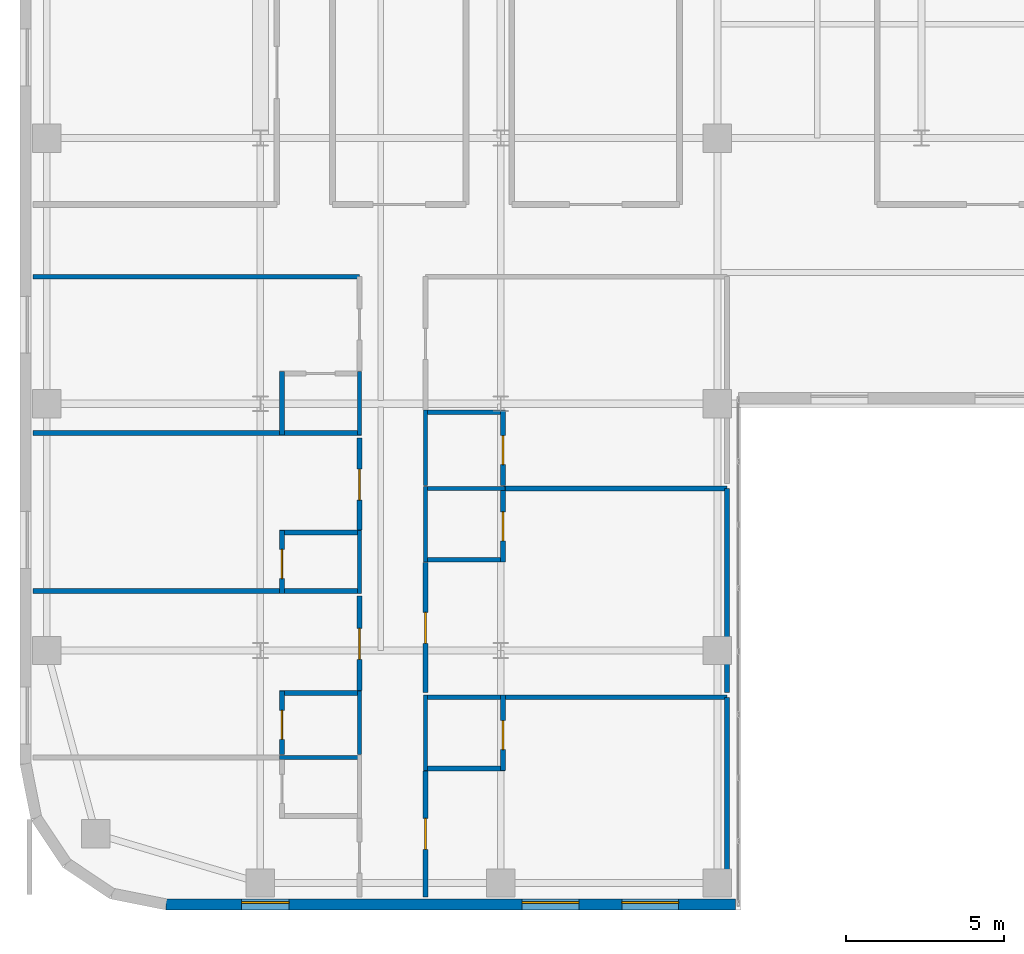
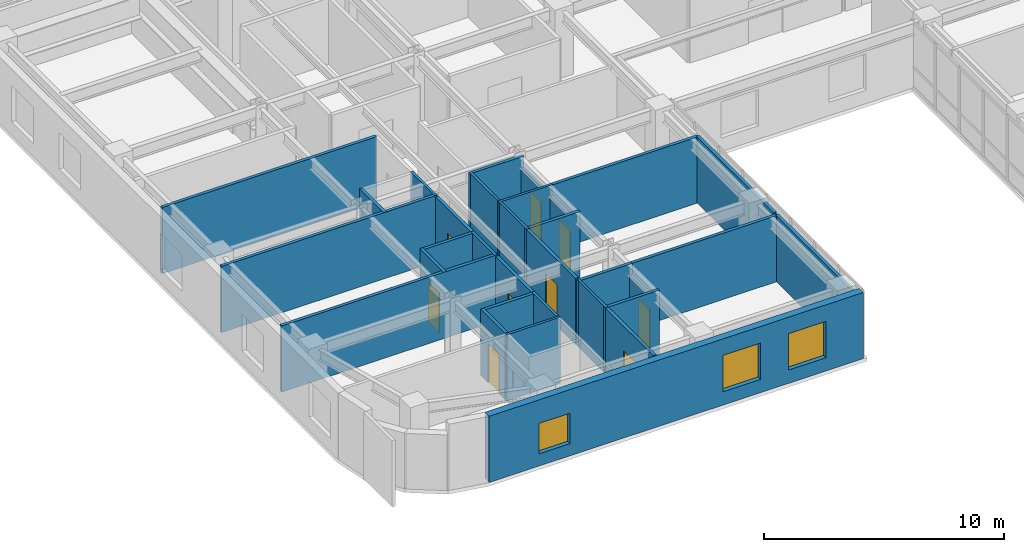
# One storey, part 10 of 17: 32 walls, 9 doors, 3 windows, 12 openings.
"""IFC4 building model written with IfcOpenShell, lengths in metres."""

from ifc_helpers import new_model, si_unit, direction, frame, frame_2d, origin, place, context, subcontext, project, spatial, rectangle, extrude, source, transform, mapped, material, layer, layer_set, type_object, type_shapes, element, fill, save


model = new_model("IFC4")

# Units and contexts
model_context = context("Model", 3, precision=1e-05, world=origin(), true_north=direction((0.0, 1.0)))
body_context = subcontext(model_context, "Body", "Model", "MODEL_VIEW")
ifc_project = project(units=[si_unit("LENGTHUNIT", "METRE"), si_unit("AREAUNIT", "SQUARE_METRE"), si_unit("VOLUMEUNIT", "CUBIC_METRE"), si_unit("PLANEANGLEUNIT", "RADIAN"), si_unit("MASSUNIT", "GRAM", prefix="KILO")], contexts=[model_context])

# Site, building, storey
site_placement = place(None, origin())
site = spatial("IfcSite", under=ifc_project, at=site_placement, CompositionType="ELEMENT")
building_placement = place(site_placement, origin())
building = spatial("IfcBuilding", under=site, at=building_placement, Name="Tolvann Quenvar Hotel", CompositionType="ELEMENT")
storey_placement = place(building_placement, frame((0.0, 0.0, 136.39990234375)))
storey = spatial("IfcBuildingStorey", under=building, at=storey_placement, Name="L35", CompositionType="ELEMENT", Elevation=136.39990234375)

# Wall, openings, windows
ifc_material_1 = material(Name="Kiln-fired red and buff architectural clay brickwork and terracotta masonry", Category="masonry")
ifc_layer_1 = layer(ifc_material_1, 0.35009765625)
ifc_layer_set_1 = layer_set([ifc_layer_1], Name="Kiln-fired red and buff architectural clay brickwork and terracotta masonry")
wall_type_1 = type_object("IfcWallType", Name="WALL_EXT_BRICK_350", PredefinedType="SOLIDWALL", material=ifc_layer_set_1)
wall_1_placement = place(storey_placement, frame((4.6171875, 0.175048828125, 0.0), z_axis=(0.0, 0.0, 1.0), x_axis=(1.0, 0.0, 0.0)))
wall_1 = element("IfcWall", 1, at=wall_1_placement, inside=storey, type_object=wall_type_1, Name="Exterior Chicago Brick Wall L35-E04", PredefinedType="SOLIDWALL", context=body_context, shape_type="SweptSolid", body=[
    extrude(rectangle(XDim=18.0078125, YDim=0.35009765625, at=frame_2d((9.00390625, 0.0))), origin(), (0.0, 0.0, 1.0), 3.3701171875),
])
opening_1_placement = place(wall_1_placement, frame((11.2548828125, 0.0, 0.679931640625)))
opening_1 = element("IfcOpeningElement", 2, at=opening_1_placement, cuts=wall_1, Name="Opening W-03", PredefinedType="OPENING", context=body_context, shape_type="SweptSolid", body=[
    extrude(rectangle(XDim=1.800048828125, YDim=1.85009765625, at=frame_2d((0.89990234375, 0.925048828125))), frame((0.0, 0.18505859375, 0.0), z_axis=(0.0, -1.0, 0.0), x_axis=(1.0, 0.0, 0.0)), (0.0, 0.0, 1.0), 0.3701171875),
])
opening_2_placement = place(wall_1_placement, frame((14.406982421875, 0.0, 0.679931640625)))
opening_2 = element("IfcOpeningElement", 3, at=opening_2_placement, cuts=wall_1, Name="Opening W-03", PredefinedType="OPENING", context=body_context, shape_type="SweptSolid", body=[
    extrude(rectangle(XDim=1.800048828125, YDim=1.85009765625, at=frame_2d((0.89990234375, 0.925048828125))), frame((0.0, 0.18505859375, 0.0), z_axis=(0.0, -1.0, 0.0), x_axis=(1.0, 0.0, 0.0)), (0.0, 0.0, 1.0), 0.3701171875),
])
opening_3_placement = place(wall_1_placement, frame((2.39111328125, 0.0, 0.6201171875)))
opening_3 = element("IfcOpeningElement", 4, at=opening_3_placement, cuts=wall_1, Name="Opening W-08", PredefinedType="OPENING", context=body_context, shape_type="SweptSolid", body=[
    extrude(rectangle(XDim=1.5, YDim=1.550048828125, at=frame_2d((0.75, 0.77490234375))), frame((0.0, 0.18505859375, 0.0), z_axis=(0.0, -1.0, 0.0), x_axis=(1.0, 0.0, 0.0)), (0.0, 0.0, 1.0), 0.3701171875),
])
ifc_material_2 = material(Name="Thermally broken bronze-anodised aluminium frame with double low-E glazing", Category="aluminium")
window_type_1 = type_object("IfcWindowType", Name="WIN_COR_1500x2050", PartitioningType="SINGLE_PANEL", PredefinedType="WINDOW", material=ifc_material_2)
shared_shape_1 = source(origin(), body_context, "Body", "SweptSolid", [
    extrude(rectangle(XDim=1.5, YDim=1.550048828125, at=frame_2d((0.75, 0.77490234375))), frame((0.0, 0.090087890625, 0.0), z_axis=(0.0, -1.0, 0.0), x_axis=(1.0, 0.0, 0.0)), (0.0, 0.0, 1.0), 0.06005859375),
])
type_shapes(window_type_1, [shared_shape_1])
window_1_placement = place(opening_3_placement, origin())
window_1 = element("IfcWindow", 5, at=window_1_placement, inside=storey, type_object=window_type_1, Name="Chicago Window W-08 (EW-L35-E04-WD03)", OverallHeight=1.550048828125, OverallWidth=1.5, PartitioningType="SINGLE_PANEL", PredefinedType="WINDOW", context=body_context, shape_type="MappedRepresentation", body=[
    mapped(shared_shape_1, transform((0.0, 0.0, 0.0), x_axis=(1.0, 0.0, 0.0), y_axis=(0.0, 1.0, 0.0), z_axis=(0.0, 0.0, 1.0), scale=1.0)),
])
fill(opening_3, window_1)
window_type_2 = type_object("IfcWindowType", Name="WIN_CHI_1800x2050", PartitioningType="TRIPLE_PANEL_HORIZONTAL", PredefinedType="WINDOW", material=ifc_material_2)
shared_shape_2 = source(origin(), body_context, "Body", "SweptSolid", [
    extrude(rectangle(XDim=1.800048828125, YDim=1.85009765625, at=frame_2d((0.89990234375, 0.925048828125))), frame((0.0, 0.090087890625, 0.0), z_axis=(0.0, -1.0, 0.0), x_axis=(1.0, 0.0, 0.0)), (0.0, 0.0, 1.0), 0.06005859375),
])
type_shapes(window_type_2, [shared_shape_2])
window_2_placement = place(opening_1_placement, origin())
window_2 = element("IfcWindow", 6, at=window_2_placement, inside=storey, type_object=window_type_2, Name="Chicago Window W-03 (EW-L35-E04-W01)", OverallHeight=1.85009765625, OverallWidth=1.800048828125, PartitioningType="TRIPLE_PANEL_HORIZONTAL", PredefinedType="WINDOW", context=body_context, shape_type="MappedRepresentation", body=[
    mapped(shared_shape_2, transform((0.0, 0.0, 0.0), x_axis=(1.0, 0.0, 0.0), y_axis=(0.0, 1.0, 0.0), z_axis=(0.0, 0.0, 1.0), scale=1.0)),
])
fill(opening_1, window_2)
window_3_placement = place(opening_2_placement, origin())
window_3 = element("IfcWindow", 7, at=window_3_placement, inside=storey, type_object=window_type_2, Name="Chicago Window W-03 (EW-L35-E04-W02)", OverallHeight=1.85009765625, OverallWidth=1.800048828125, PartitioningType="TRIPLE_PANEL_HORIZONTAL", PredefinedType="WINDOW", context=body_context, shape_type="MappedRepresentation", body=[
    mapped(shared_shape_2, transform((0.0, 0.0, 0.0), x_axis=(1.0, 0.0, 0.0), y_axis=(0.0, 1.0, 0.0), z_axis=(0.0, 0.0, 1.0), scale=1.0)),
])
fill(opening_2, window_3)

# Walls
ifc_material_3 = material(Name="Moisture-resistant acoustic plumbing wall assembly")
ifc_layer_2 = layer(ifc_material_3, 0.1201171875)
ifc_layer_set_2 = layer_set([ifc_layer_2], Name="Moisture-resistant acoustic plumbing wall assembly")
wall_type_2 = type_object("IfcWallType", Name="WALL_PART_BATH_120", PredefinedType="PLUMBINGWALL", material=ifc_layer_set_2)
wall_2_placement = place(storey_placement, frame((8.2099609375, 4.820068359375, 0.0), z_axis=(0.0, 0.0, 1.0), x_axis=(1.0, 0.0, 0.0)))
element("IfcWall", 8, at=wall_2_placement, inside=storey, type_object=wall_type_2, Name="Non-Rated Plumbing Partition PT-SPC-L35-ENS-WO01-N", PredefinedType="PLUMBINGWALL", context=body_context, shape_type="SweptSolid", body=[
    extrude(rectangle(XDim=2.590087890625, YDim=0.1201171875, at=frame_2d((1.294921875, 0.0))), origin(), (0.0, 0.0, 1.0), 3.3701171875),
])
wall_3_placement = place(storey_placement, frame((10.72998046875, 4.909912109375, 0.0), z_axis=(0.0, 0.0, 1.0), x_axis=(0.0, 1.0, 0.0)))
element("IfcWall", 9, at=wall_3_placement, inside=storey, type_object=wall_type_2, Name="Non-Rated Plumbing Partition PT-SPC-L35-ENS-WO02-E", PredefinedType="PLUMBINGWALL", context=body_context, shape_type="SweptSolid", body=[
    extrude(rectangle(XDim=2.01708984375, YDim=0.1201171875, at=frame_2d((1.008544921875, 0.0))), origin(), (0.0, 0.0, 1.0), 3.3701171875),
])
wall_4_placement = place(storey_placement, frame((10.72998046875, 10.010009765625, 0.0), z_axis=(0.0, 0.0, 1.0), x_axis=(0.0, 1.0, 0.0)))
element("IfcWall", 10, at=wall_4_placement, inside=storey, type_object=wall_type_2, Name="Non-Rated Plumbing Partition PT-SPC-L35-ENS-WO03-E", PredefinedType="PLUMBINGWALL", context=body_context, shape_type="SweptSolid", body=[
    extrude(rectangle(XDim=1.989990234375, YDim=0.1201171875, at=frame_2d((0.9951171875, 0.0))), origin(), (0.0, 0.0, 1.0), 3.3701171875),
])
wall_5_placement = place(storey_placement, frame((10.72998046875, 15.010009765625, 0.0), z_axis=(0.0, 0.0, 1.0), x_axis=(0.0, 1.0, 0.0)))
element("IfcWall", 11, at=wall_5_placement, inside=storey, type_object=wall_type_2, Name="Non-Rated Plumbing Partition PT-SPC-L35-ENS-WO04-E", PredefinedType="PLUMBINGWALL", context=body_context, shape_type="SweptSolid", body=[
    extrude(rectangle(XDim=2.01708984375, YDim=0.1201171875, at=frame_2d((1.008544921875, 0.0))), origin(), (0.0, 0.0, 1.0), 3.3701171875),
])
wall_6_placement = place(storey_placement, frame((12.820068359375, 4.39990234375, 0.0), z_axis=(0.0, 0.0, 1.0), x_axis=(0.0, 1.0, 0.0)))
element("IfcWall", 12, at=wall_6_placement, inside=storey, type_object=wall_type_2, Name="Non-Rated Plumbing Partition PT-SPC-L35-ENS-WI01-W", PredefinedType="PLUMBINGWALL", context=body_context, shape_type="SweptSolid", body=[
    extrude(rectangle(XDim=2.39013671875, YDim=0.1201171875, at=frame_2d((1.195068359375, 0.0))), origin(), (0.0, 0.0, 1.0), 3.3701171875),
])
wall_7_placement = place(storey_placement, frame((12.75, 13.320068359375, 0.0), z_axis=(0.0, 0.0, 1.0), x_axis=(1.0, 0.0, 0.0)))
element("IfcWall", 13, at=wall_7_placement, inside=storey, type_object=wall_type_2, Name="Non-Rated Plumbing Partition PT-SPC-L35-ENS-WI02-N", PredefinedType="PLUMBINGWALL", context=body_context, shape_type="SweptSolid", body=[
    extrude(rectangle(XDim=2.590087890625, YDim=0.1201171875, at=frame_2d((1.294921875, 0.0))), origin(), (0.0, 0.0, 1.0), 3.3701171875),
])
wall_8_placement = place(storey_placement, frame((12.820068359375, 11.0, 0.0), z_axis=(0.0, 0.0, 1.0), x_axis=(0.0, 1.0, 0.0)))
element("IfcWall", 14, at=wall_8_placement, inside=storey, type_object=wall_type_2, Name="Non-Rated Plumbing Partition PT-SPC-L35-ENS-WI02-W", PredefinedType="PLUMBINGWALL", context=body_context, shape_type="SweptSolid", body=[
    extrude(rectangle(XDim=2.389892578125, YDim=0.1201171875, at=frame_2d((1.19482421875, 0.0))), origin(), (0.0, 0.0, 1.0), 3.3701171875),
])
wall_9_placement = place(storey_placement, frame((12.820068359375, 13.409912109375, 0.0), z_axis=(0.0, 0.0, 1.0), x_axis=(0.0, 1.0, 0.0)))
element("IfcWall", 15, at=wall_9_placement, inside=storey, type_object=wall_type_2, Name="Non-Rated Plumbing Partition PT-SPC-L35-ENS-WI03-W", PredefinedType="PLUMBINGWALL", context=body_context, shape_type="SweptSolid", body=[
    extrude(rectangle(XDim=2.39013671875, YDim=0.1201171875, at=frame_2d((1.195068359375, 0.0))), origin(), (0.0, 0.0, 1.0), 3.3701171875),
])

# Wall, opening, door
ifc_material_4 = material(Name="Acoustic twin-stud fire-rated gypsum plasterboard partition")
ifc_layer_3 = layer(ifc_material_4, 0.14990234375)
ifc_layer_set_3 = layer_set([ifc_layer_3], Name="Acoustic twin-stud fire-rated gypsum plasterboard partition")
wall_type_3 = type_object("IfcWallType", Name="WALL_PART_SUITE_150", PredefinedType="PARTITIONING", material=ifc_layer_set_3)
wall_10_placement = place(storey_placement, frame((8.280029296875, 4.909912109375, 0.0), z_axis=(0.0, 0.0, 1.0), x_axis=(0.0, 1.0, 0.0)))
wall_10 = element("IfcWall", 16, at=wall_10_placement, inside=storey, type_object=wall_type_3, Name="Interior Partition PT-SPC-L35-ENS-WO02-ENT", PredefinedType="PARTITIONING", context=body_context, shape_type="SweptSolid", body=[
    extrude(rectangle(XDim=2.01708984375, YDim=0.14990234375, at=frame_2d((1.008544921875, 0.0))), origin(), (0.0, 0.0, 1.0), 3.3701171875),
])
opening_4_placement = place(wall_10_placement, frame((0.478515625, 0.0, 0.0)))
opening_4 = element("IfcOpeningElement", 17, at=opening_4_placement, cuts=wall_10, Name="Opening WD-01", PredefinedType="OPENING", context=body_context, shape_type="SweptSolid", body=[
    extrude(rectangle(XDim=0.919921875, YDim=2.010009765625, at=frame_2d((0.4599609375, 1.0048828125))), frame((0.0, 0.0849609375, 0.0), z_axis=(0.0, -1.0, 0.0), x_axis=(1.0, 0.0, 0.0)), (0.0, 0.0, 1.0), 0.169921875),
])
ifc_material_5 = material(Name="Solid-core American oak acoustic fire door leaf in steel frame", Category="steel")
door_type_1 = type_object("IfcDoorType", Name="DOOR_WC_920", OperationType="NOTDEFINED", PredefinedType="DOOR", material=ifc_material_5)
shared_shape_3 = source(origin(), body_context, "Body", "SweptSolid", [
    extrude(rectangle(XDim=0.919921875, YDim=2.010009765625, at=frame_2d((0.4599609375, 1.0048828125))), frame((0.0, 0.02490234375, 0.0), z_axis=(0.0, -1.0, 0.0), x_axis=(1.0, 0.0, 0.0)), (0.0, 0.0, 1.0), 0.050048828125),
])
type_shapes(door_type_1, [shared_shape_3])
door_1_placement = place(opening_4_placement, origin())
door_1 = element("IfcDoor", 18, at=door_1_placement, inside=storey, type_object=door_type_1, Name="Interior Door DOOR-SPC-L35-ENS-WO02", OperationType="SINGLE_SWING_RIGHT", OverallHeight=2.010009765625, OverallWidth=0.919921875, PredefinedType="DOOR", context=body_context, shape_type="MappedRepresentation", body=[
    mapped(shared_shape_3, transform((0.0, 0.0, 0.0), x_axis=(1.0, 0.0, 0.0), y_axis=(0.0, 1.0, 0.0), z_axis=(0.0, 0.0, 1.0), scale=1.0)),
])
fill(opening_4, door_1)

# Wall
wall_11_placement = place(storey_placement, frame((8.2099609375, 6.85693359375, 0.0), z_axis=(0.0, 0.0, 1.0), x_axis=(1.0, 0.0, 0.0)))
element("IfcWall", 19, at=wall_11_placement, inside=storey, type_object=wall_type_3, Name="Interior Partition PT-SPC-L35-ENS-WO02-N", PredefinedType="PARTITIONING", context=body_context, shape_type="SweptSolid", body=[
    extrude(rectangle(XDim=2.590087890625, YDim=0.14990234375, at=frame_2d((1.294921875, 0.0))), origin(), (0.0, 0.0, 1.0), 3.3701171875),
])

# Wall, opening, door
wall_12_placement = place(storey_placement, frame((8.280029296875, 10.010009765625, 0.0), z_axis=(0.0, 0.0, 1.0), x_axis=(0.0, 1.0, 0.0)))
wall_12 = element("IfcWall", 20, at=wall_12_placement, inside=storey, type_object=wall_type_3, Name="Interior Partition PT-SPC-L35-ENS-WO03-ENT", PredefinedType="PARTITIONING", context=body_context, shape_type="SweptSolid", body=[
    extrude(rectangle(XDim=1.989990234375, YDim=0.14990234375, at=frame_2d((0.9951171875, 0.0))), origin(), (0.0, 0.0, 1.0), 3.3701171875),
])
opening_5_placement = place(wall_12_placement, frame((0.465087890625, 0.0, 0.0)))
opening_5 = element("IfcOpeningElement", 21, at=opening_5_placement, cuts=wall_12, Name="Opening WD-01", PredefinedType="OPENING", context=body_context, shape_type="SweptSolid", body=[
    extrude(rectangle(XDim=0.919921875, YDim=2.010009765625, at=frame_2d((0.4599609375, 1.0048828125))), frame((0.0, 0.0849609375, 0.0), z_axis=(0.0, -1.0, 0.0), x_axis=(1.0, 0.0, 0.0)), (0.0, 0.0, 1.0), 0.169921875),
])
door_2_placement = place(opening_5_placement, origin())
door_2 = element("IfcDoor", 22, at=door_2_placement, inside=storey, type_object=door_type_1, Name="Interior Door DOOR-SPC-L35-ENS-WO03", OperationType="SINGLE_SWING_LEFT", OverallHeight=2.010009765625, OverallWidth=0.919921875, PredefinedType="DOOR", context=body_context, shape_type="MappedRepresentation", body=[
    mapped(shared_shape_3, transform((0.0, 0.0, 0.0), x_axis=(1.0, 0.0, 0.0), y_axis=(0.0, 1.0, 0.0), z_axis=(0.0, 0.0, 1.0), scale=1.0)),
])
fill(opening_5, door_2)

# Walls
wall_13_placement = place(storey_placement, frame((0.405029296875, 10.080078125, 0.0), z_axis=(0.0, 0.0, 1.0), x_axis=(1.0, 0.0, 0.0)))
element("IfcWall", 23, at=wall_13_placement, inside=storey, type_object=wall_type_3, Name="Interior Partition PT-SPC-L35-ENS-WO03-S", PredefinedType="PARTITIONING", context=body_context, shape_type="SweptSolid", body=[
    extrude(rectangle(XDim=10.39501953125, YDim=0.14990234375, at=frame_2d((5.197509765625, 0.0))), origin(), (0.0, 0.0, 1.0), 3.3701171875),
])
wall_14_placement = place(storey_placement, frame((8.2099609375, 11.929931640625, 0.0), z_axis=(0.0, 0.0, 1.0), x_axis=(1.0, 0.0, 0.0)))
element("IfcWall", 24, at=wall_14_placement, inside=storey, type_object=wall_type_3, Name="Interior Partition PT-SPC-L35-ENS-WO03-N", PredefinedType="PARTITIONING", context=body_context, shape_type="SweptSolid", body=[
    extrude(rectangle(XDim=2.590087890625, YDim=0.14990234375, at=frame_2d((1.294921875, 0.0))), origin(), (0.0, 0.0, 1.0), 3.3701171875),
])
wall_15_placement = place(storey_placement, frame((8.280029296875, 15.010009765625, 0.0), z_axis=(0.0, 0.0, 1.0), x_axis=(0.0, 1.0, 0.0)))
element("IfcWall", 25, at=wall_15_placement, inside=storey, type_object=wall_type_3, Name="Interior Partition PT-SPC-L35-ENS-WO04-ENT", PredefinedType="PARTITIONING", context=body_context, shape_type="SweptSolid", body=[
    extrude(rectangle(XDim=2.01708984375, YDim=0.14990234375, at=frame_2d((1.008544921875, 0.0))), origin(), (0.0, 0.0, 1.0), 3.3701171875),
])
wall_16_placement = place(storey_placement, frame((0.405029296875, 15.080078125, 0.0), z_axis=(0.0, 0.0, 1.0), x_axis=(1.0, 0.0, 0.0)))
element("IfcWall", 26, at=wall_16_placement, inside=storey, type_object=wall_type_3, Name="Interior Partition PT-SPC-L35-ENS-WO04-S", PredefinedType="PARTITIONING", context=body_context, shape_type="SweptSolid", body=[
    extrude(rectangle(XDim=10.39501953125, YDim=0.14990234375, at=frame_2d((5.197509765625, 0.0))), origin(), (0.0, 0.0, 1.0), 3.3701171875),
])

# Wall, opening, door
wall_17_placement = place(storey_placement, frame((15.27001953125, 4.39990234375, 0.0), z_axis=(0.0, 0.0, 1.0), x_axis=(0.0, 1.0, 0.0)))
wall_17 = element("IfcWall", 27, at=wall_17_placement, inside=storey, type_object=wall_type_3, Name="Interior Partition PT-SPC-L35-ENS-WI01-ENT", PredefinedType="PARTITIONING", context=body_context, shape_type="SweptSolid", body=[
    extrude(rectangle(XDim=2.39013671875, YDim=0.14990234375, at=frame_2d((1.195068359375, 0.0))), origin(), (0.0, 0.0, 1.0), 2.8271484375),
])
opening_6_placement = place(wall_17_placement, frame((0.6650390625, 0.0, 0.0)))
opening_6 = element("IfcOpeningElement", 28, at=opening_6_placement, cuts=wall_17, Name="Opening WD-01", PredefinedType="OPENING", context=body_context, shape_type="SweptSolid", body=[
    extrude(rectangle(XDim=0.919921875, YDim=2.010009765625, at=frame_2d((0.4599609375, 1.0048828125))), frame((0.0, 0.0849609375, 0.0), z_axis=(0.0, -1.0, 0.0), x_axis=(1.0, 0.0, 0.0)), (0.0, 0.0, 1.0), 0.169921875),
])
door_3_placement = place(opening_6_placement, origin())
door_3 = element("IfcDoor", 29, at=door_3_placement, inside=storey, type_object=door_type_1, Name="Interior Door DOOR-SPC-L35-ENS-WI01", OperationType="SINGLE_SWING_LEFT", OverallHeight=2.010009765625, OverallWidth=0.919921875, PredefinedType="DOOR", context=body_context, shape_type="MappedRepresentation", body=[
    mapped(shared_shape_3, transform((0.0, 0.0, 0.0), x_axis=(1.0, 0.0, 0.0), y_axis=(0.0, 1.0, 0.0), z_axis=(0.0, 0.0, 1.0), scale=1.0)),
])
fill(opening_6, door_3)

# Walls
for number, where, z_axis, x_axis, name in (
    (30, (12.75, 4.469970703125, 0.0), (0.0, 0.0, 1.0), (1.0, 0.0, 0.0), "Interior Partition PT-SPC-L35-ENS-WI01-S"),
    (31, (12.75, 6.719970703125, 0.0), (0.0, 0.0, 1.0), (1.0, 0.0, 0.0), "Interior Partition PT-SPC-L35-ENS-WI01-N"),
):
    element("IfcWall", number, at=place(storey_placement, frame(where, z_axis=z_axis, x_axis=x_axis)), inside=storey, type_object=wall_type_3, Name=name, PredefinedType="PARTITIONING", context=body_context, shape_type="SweptSolid", body=[
        extrude(rectangle(XDim=2.590087890625, YDim=0.14990234375, at=frame_2d((1.294921875, 0.0))), origin(), (0.0, 0.0, 1.0), 3.3701171875),
    ])

# Wall, opening, door
wall_18_placement = place(storey_placement, frame((15.27001953125, 11.0, 0.0), z_axis=(0.0, 0.0, 1.0), x_axis=(0.0, 1.0, 0.0)))
wall_18 = element("IfcWall", 32, at=wall_18_placement, inside=storey, type_object=wall_type_3, Name="Interior Partition PT-SPC-L35-ENS-WI02-ENT", PredefinedType="PARTITIONING", context=body_context, shape_type="SweptSolid", body=[
    extrude(rectangle(XDim=2.389892578125, YDim=0.14990234375, at=frame_2d((1.19482421875, 0.0))), origin(), (0.0, 0.0, 1.0), 2.8271484375),
])
opening_7_placement = place(wall_18_placement, frame((0.6650390625, 0.0, 0.0)))
opening_7 = element("IfcOpeningElement", 33, at=opening_7_placement, cuts=wall_18, Name="Opening WD-01", PredefinedType="OPENING", context=body_context, shape_type="SweptSolid", body=[
    extrude(rectangle(XDim=0.919921875, YDim=2.010009765625, at=frame_2d((0.4599609375, 1.0048828125))), frame((0.0, 0.0849609375, 0.0), z_axis=(0.0, -1.0, 0.0), x_axis=(1.0, 0.0, 0.0)), (0.0, 0.0, 1.0), 0.169921875),
])
door_4_placement = place(opening_7_placement, origin())
door_4 = element("IfcDoor", 34, at=door_4_placement, inside=storey, type_object=door_type_1, Name="Interior Door DOOR-SPC-L35-ENS-WI02", OperationType="SINGLE_SWING_RIGHT", OverallHeight=2.010009765625, OverallWidth=0.919921875, PredefinedType="DOOR", context=body_context, shape_type="MappedRepresentation", body=[
    mapped(shared_shape_3, transform((0.0, 0.0, 0.0), x_axis=(1.0, 0.0, 0.0), y_axis=(0.0, 1.0, 0.0), z_axis=(0.0, 0.0, 1.0), scale=1.0)),
])
fill(opening_7, door_4)

# Wall
wall_19_placement = place(storey_placement, frame((12.75, 11.070068359375, 0.0), z_axis=(0.0, 0.0, 1.0), x_axis=(1.0, 0.0, 0.0)))
element("IfcWall", 35, at=wall_19_placement, inside=storey, type_object=wall_type_3, Name="Interior Partition PT-SPC-L35-ENS-WI02-S", PredefinedType="PARTITIONING", context=body_context, shape_type="SweptSolid", body=[
    extrude(rectangle(XDim=2.590087890625, YDim=0.14990234375, at=frame_2d((1.294921875, 0.0))), origin(), (0.0, 0.0, 1.0), 3.3701171875),
])

# Wall, opening, door
wall_20_placement = place(storey_placement, frame((15.27001953125, 13.409912109375, 0.0), z_axis=(0.0, 0.0, 1.0), x_axis=(0.0, 1.0, 0.0)))
wall_20 = element("IfcWall", 36, at=wall_20_placement, inside=storey, type_object=wall_type_3, Name="Interior Partition PT-SPC-L35-ENS-WI03-ENT", PredefinedType="PARTITIONING", context=body_context, shape_type="SweptSolid", body=[
    extrude(rectangle(XDim=2.39013671875, YDim=0.14990234375, at=frame_2d((1.195068359375, 0.0))), origin(), (0.0, 0.0, 1.0), 2.8271484375),
])
opening_8_placement = place(wall_20_placement, frame((0.6650390625, 0.0, 0.0)))
opening_8 = element("IfcOpeningElement", 37, at=opening_8_placement, cuts=wall_20, Name="Opening WD-01", PredefinedType="OPENING", context=body_context, shape_type="SweptSolid", body=[
    extrude(rectangle(XDim=0.919921875, YDim=2.010009765625, at=frame_2d((0.4599609375, 1.0048828125))), frame((0.0, 0.0849609375, 0.0), z_axis=(0.0, -1.0, 0.0), x_axis=(1.0, 0.0, 0.0)), (0.0, 0.0, 1.0), 0.169921875),
])
door_5_placement = place(opening_8_placement, origin())
door_5 = element("IfcDoor", 38, at=door_5_placement, inside=storey, type_object=door_type_1, Name="Interior Door DOOR-SPC-L35-ENS-WI03", OperationType="SINGLE_SWING_LEFT", OverallHeight=2.010009765625, OverallWidth=0.919921875, PredefinedType="DOOR", context=body_context, shape_type="MappedRepresentation", body=[
    mapped(shared_shape_3, transform((0.0, 0.0, 0.0), x_axis=(1.0, 0.0, 0.0), y_axis=(0.0, 1.0, 0.0), z_axis=(0.0, 0.0, 1.0), scale=1.0)),
])
fill(opening_8, door_5)

# Wall
wall_21_placement = place(storey_placement, frame((12.75, 15.72998046875, 0.0), z_axis=(0.0, 0.0, 1.0), x_axis=(1.0, 0.0, 0.0)))
element("IfcWall", 39, at=wall_21_placement, inside=storey, type_object=wall_type_3, Name="Interior Partition PT-SPC-L35-ENS-WI03-N", PredefinedType="PARTITIONING", context=body_context, shape_type="SweptSolid", body=[
    extrude(rectangle(XDim=2.590087890625, YDim=0.14990234375, at=frame_2d((1.294921875, 0.0))), origin(), (0.0, 0.0, 1.0), 3.3701171875),
])

# Wall, opening, door
wall_22_placement = place(storey_placement, frame((10.72998046875, 6.93701171875, 0.0), z_axis=(0.0, 0.0, 1.0), x_axis=(0.0, 1.0, 0.0)))
wall_22 = element("IfcWall", 40, at=wall_22_placement, inside=storey, type_object=wall_type_3, Name="Interior Partition PT-SPC-L35-RM-WO02-ENT", PredefinedType="PARTITIONING", context=body_context, shape_type="SweptSolid", body=[
    extrude(rectangle(XDim=2.98291015625, YDim=0.14990234375, at=frame_2d((1.491455078125, 0.0))), origin(), (0.0, 0.0, 1.0), 3.3701171875),
])
opening_9_placement = place(wall_22_placement, frame((0.9814453125, 0.0, 0.0)))
opening_9 = element("IfcOpeningElement", 41, at=opening_9_placement, cuts=wall_22, Name="Opening SD-01", PredefinedType="OPENING", context=body_context, shape_type="SweptSolid", body=[
    extrude(rectangle(XDim=0.97998046875, YDim=2.1201171875, at=frame_2d((0.489990234375, 1.06005859375))), frame((0.0, 0.0849609375, 0.0), z_axis=(0.0, -1.0, 0.0), x_axis=(1.0, 0.0, 0.0)), (0.0, 0.0, 1.0), 0.169921875),
])
door_type_2 = type_object("IfcDoorType", Name="DOOR_SUITE_980", OperationType="NOTDEFINED", PredefinedType="DOOR", material=ifc_material_5)
shared_shape_4 = source(origin(), body_context, "Body", "SweptSolid", [
    extrude(rectangle(XDim=0.97998046875, YDim=2.1201171875, at=frame_2d((0.489990234375, 1.06005859375))), frame((0.0, 0.02490234375, 0.0), z_axis=(0.0, -1.0, 0.0), x_axis=(1.0, 0.0, 0.0)), (0.0, 0.0, 1.0), 0.050048828125),
])
type_shapes(door_type_2, [shared_shape_4])
door_6_placement = place(opening_9_placement, origin())
door_6 = element("IfcDoor", 42, at=door_6_placement, inside=storey, type_object=door_type_2, Name="Interior Door DOOR-SPC-L35-RM-WO02", OperationType="SINGLE_SWING_LEFT", OverallHeight=2.1201171875, OverallWidth=0.97998046875, PredefinedType="DOOR", context=body_context, shape_type="MappedRepresentation", body=[
    mapped(shared_shape_4, transform((0.0, 0.0, 0.0), x_axis=(1.0, 0.0, 0.0), y_axis=(0.0, 1.0, 0.0), z_axis=(0.0, 0.0, 1.0), scale=1.0)),
])
fill(opening_9, door_6)

wall_23_placement = place(storey_placement, frame((10.72998046875, 12.010009765625, 0.0), z_axis=(0.0, 0.0, 1.0), x_axis=(0.0, 1.0, 0.0)))
wall_23 = element("IfcWall", 43, at=wall_23_placement, inside=storey, type_object=wall_type_3, Name="Interior Partition PT-SPC-L35-RM-WO03-ENT", PredefinedType="PARTITIONING", context=body_context, shape_type="SweptSolid", body=[
    extrude(rectangle(XDim=2.909912109375, YDim=0.14990234375, at=frame_2d((1.455078125, 0.0))), origin(), (0.0, 0.0, 1.0), 3.3701171875),
])
opening_10_placement = place(wall_23_placement, frame((0.945068359375, 0.0, 0.0)))
opening_10 = element("IfcOpeningElement", 44, at=opening_10_placement, cuts=wall_23, Name="Opening SD-01", PredefinedType="OPENING", context=body_context, shape_type="SweptSolid", body=[
    extrude(rectangle(XDim=0.97998046875, YDim=2.1201171875, at=frame_2d((0.489990234375, 1.06005859375))), frame((0.0, 0.0849609375, 0.0), z_axis=(0.0, -1.0, 0.0), x_axis=(1.0, 0.0, 0.0)), (0.0, 0.0, 1.0), 0.169921875),
])
door_7_placement = place(opening_10_placement, origin())
door_7 = element("IfcDoor", 45, at=door_7_placement, inside=storey, type_object=door_type_2, Name="Interior Door DOOR-SPC-L35-RM-WO03", OperationType="SINGLE_SWING_RIGHT", OverallHeight=2.1201171875, OverallWidth=0.97998046875, PredefinedType="DOOR", context=body_context, shape_type="MappedRepresentation", body=[
    mapped(shared_shape_4, transform((0.0, 0.0, 0.0), x_axis=(1.0, 0.0, 0.0), y_axis=(0.0, 1.0, 0.0), z_axis=(0.0, 0.0, 1.0), scale=1.0)),
])
fill(opening_10, door_7)

# Wall
wall_24_placement = place(storey_placement, frame((0.405029296875, 20.02001953125, 0.0), z_axis=(0.0, 0.0, 1.0), x_axis=(1.0, 0.0, 0.0)))
element("IfcWall", 46, at=wall_24_placement, inside=storey, type_object=wall_type_3, Name="Interior Partition PT-SPC-L35-RM-WO04-E5", PredefinedType="PARTITIONING", context=body_context, shape_type="SweptSolid", body=[
    extrude(rectangle(XDim=10.324951171875, YDim=0.14990234375, at=frame_2d((5.16259765625, 0.0))), origin(), (0.0, 0.0, 1.0), 3.3701171875),
])

# Wall, opening, door
wall_25_placement = place(storey_placement, frame((12.820068359375, 0.405029296875, 0.0), z_axis=(0.0, 0.0, 1.0), x_axis=(0.0, 1.0, 0.0)))
wall_25 = element("IfcWall", 47, at=wall_25_placement, inside=storey, type_object=wall_type_3, Name="Interior Partition PT-SPC-L35-RM-WI01-ENT", PredefinedType="PARTITIONING", context=body_context, shape_type="SweptSolid", body=[
    extrude(rectangle(XDim=3.98486328125, YDim=0.14990234375, at=frame_2d((1.992431640625, 0.0))), origin(), (0.0, 0.0, 1.0), 3.3701171875),
])
opening_11_placement = place(wall_25_placement, frame((1.510009765625, 0.0, 0.0)))
opening_11 = element("IfcOpeningElement", 48, at=opening_11_placement, cuts=wall_25, Name="Opening SD-01", PredefinedType="OPENING", context=body_context, shape_type="SweptSolid", body=[
    extrude(rectangle(XDim=0.97998046875, YDim=2.1201171875, at=frame_2d((0.489990234375, 1.06005859375))), frame((0.0, 0.0849609375, 0.0), z_axis=(0.0, -1.0, 0.0), x_axis=(1.0, 0.0, 0.0)), (0.0, 0.0, 1.0), 0.169921875),
])
door_8_placement = place(opening_11_placement, origin())
door_8 = element("IfcDoor", 49, at=door_8_placement, inside=storey, type_object=door_type_2, Name="Interior Door DOOR-SPC-L35-RM-WI01", OperationType="SINGLE_SWING_RIGHT", OverallHeight=2.1201171875, OverallWidth=0.97998046875, PredefinedType="DOOR", context=body_context, shape_type="MappedRepresentation", body=[
    mapped(shared_shape_4, transform((0.0, 0.0, 0.0), x_axis=(1.0, 0.0, 0.0), y_axis=(0.0, 1.0, 0.0), z_axis=(0.0, 0.0, 1.0), scale=1.0)),
])
fill(opening_11, door_8)

# Walls
wall_26_placement = place(storey_placement, frame((22.35009765625, 0.405029296875, 0.0), z_axis=(0.0, 0.0, 1.0), x_axis=(0.0, 1.0, 0.0)))
element("IfcWall", 50, at=wall_26_placement, inside=storey, type_object=wall_type_3, Name="Interior Partition PT-SPC-L35-RM-WI01-E2", PredefinedType="PARTITIONING", context=body_context, shape_type="SweptSolid", body=[
    extrude(rectangle(XDim=6.31494140625, YDim=0.14990234375, at=frame_2d((3.157470703125, 0.0))), origin(), (0.0, 0.0, 1.0), 3.3701171875),
])
wall_27_placement = place(storey_placement, frame((15.2900390625, 6.719970703125, 0.0), z_axis=(0.0, 0.0, 1.0), x_axis=(1.0, 0.0, 0.0)))
element("IfcWall", 51, at=wall_27_placement, inside=storey, type_object=wall_type_3, Name="Interior Partition PT-SPC-L35-RM-WI01-E3", PredefinedType="PARTITIONING", context=body_context, shape_type="SweptSolid", body=[
    extrude(rectangle(XDim=7.06005859375, YDim=0.14990234375, at=frame_2d((3.530029296875, 0.0))), origin(), (0.0, 0.0, 1.0), 3.3701171875),
])

# Wall, opening, door
wall_28_placement = place(storey_placement, frame((12.820068359375, 6.8798828125, 0.0), z_axis=(0.0, 0.0, 1.0), x_axis=(0.0, 1.0, 0.0)))
wall_28 = element("IfcWall", 52, at=wall_28_placement, inside=storey, type_object=wall_type_3, Name="Interior Partition PT-SPC-L35-RM-WI02-ENT", PredefinedType="PARTITIONING", context=body_context, shape_type="SweptSolid", body=[
    extrude(rectangle(XDim=4.110107421875, YDim=0.14990234375, at=frame_2d((2.05517578125, 0.0))), origin(), (0.0, 0.0, 1.0), 3.3701171875),
])
opening_12_placement = place(wall_28_placement, frame((1.544921875, 0.0, 0.0)))
opening_12 = element("IfcOpeningElement", 53, at=opening_12_placement, cuts=wall_28, Name="Opening SD-01", PredefinedType="OPENING", context=body_context, shape_type="SweptSolid", body=[
    extrude(rectangle(XDim=0.97998046875, YDim=2.1201171875, at=frame_2d((0.489990234375, 1.06005859375))), frame((0.0, 0.0849609375, 0.0), z_axis=(0.0, -1.0, 0.0), x_axis=(1.0, 0.0, 0.0)), (0.0, 0.0, 1.0), 0.169921875),
])
door_9_placement = place(opening_12_placement, origin())
door_9 = element("IfcDoor", 54, at=door_9_placement, inside=storey, type_object=door_type_2, Name="Interior Door DOOR-SPC-L35-RM-WI02", OperationType="SINGLE_SWING_LEFT", OverallHeight=2.1201171875, OverallWidth=0.97998046875, PredefinedType="DOOR", context=body_context, shape_type="MappedRepresentation", body=[
    mapped(shared_shape_4, transform((0.0, 0.0, 0.0), x_axis=(1.0, 0.0, 0.0), y_axis=(0.0, 1.0, 0.0), z_axis=(0.0, 0.0, 1.0), scale=1.0)),
])
fill(opening_12, door_9)

# Walls
wall_29_placement = place(storey_placement, frame((22.35009765625, 6.8798828125, 0.0), z_axis=(0.0, 0.0, 1.0), x_axis=(0.0, 1.0, 0.0)))
element("IfcWall", 55, at=wall_29_placement, inside=storey, type_object=wall_type_3, Name="Interior Partition PT-SPC-L35-RM-WI02-E2", PredefinedType="PARTITIONING", context=body_context, shape_type="SweptSolid", body=[
    extrude(rectangle(XDim=6.440185546875, YDim=0.14990234375, at=frame_2d((3.22021484375, 0.0))), origin(), (0.0, 0.0, 1.0), 3.3701171875),
])
wall_30_placement = place(storey_placement, frame((15.2900390625, 13.320068359375, 0.0), z_axis=(0.0, 0.0, 1.0), x_axis=(1.0, 0.0, 0.0)))
element("IfcWall", 56, at=wall_30_placement, inside=storey, type_object=wall_type_3, Name="Interior Partition PT-SPC-L35-RM-WI02-E3", PredefinedType="PARTITIONING", context=body_context, shape_type="SweptSolid", body=[
    extrude(rectangle(XDim=7.06005859375, YDim=0.14990234375, at=frame_2d((3.530029296875, 0.0))), origin(), (0.0, 0.0, 1.0), 3.3701171875),
])

save(model, "model.ifc")
